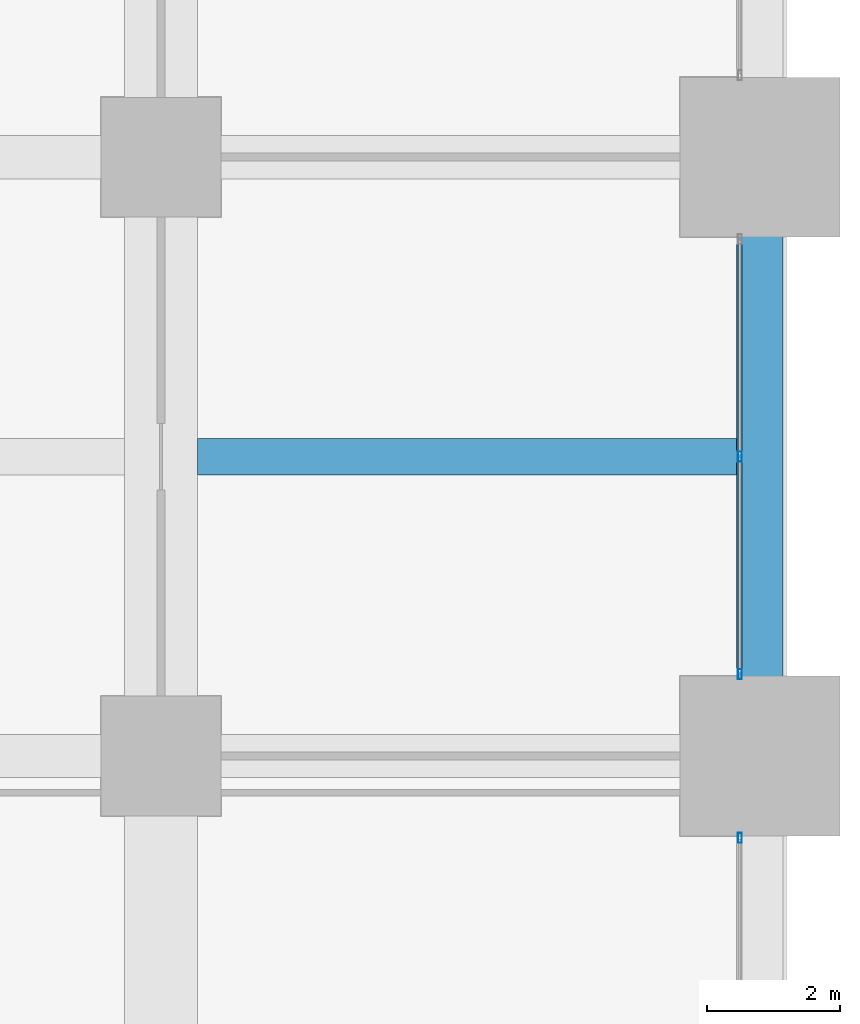
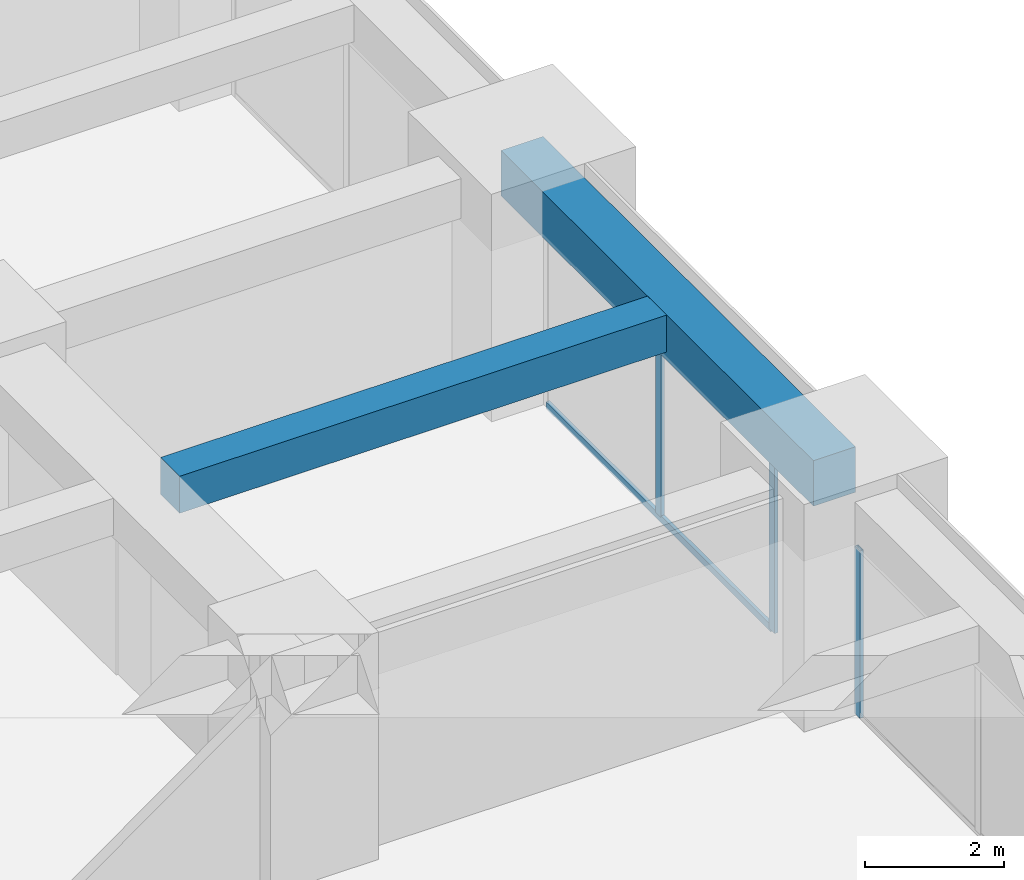
# One storey, part 21 of 40: 4 members, 2 beams, 2 elements without a shape of their own.
"""IFC4 building model written with IfcOpenShell, lengths in metres."""

from ifc_helpers import new_model, si_unit, direction, frame, origin, origin_2d, place, context, subcontext, project, spatial, rectangle, hollow_rectangle, extrude, material, material_profile, profile_set, type_object, element, aggregate, save


model = new_model("IFC4")

# Units and contexts
model_context = context("Model", 3, precision=1e-05, world=origin(), true_north=direction((0.0, 1.0)))
body_context = subcontext(model_context, "Body", "Model", "MODEL_VIEW")
ifc_project = project(units=[si_unit("LENGTHUNIT", "METRE"), si_unit("AREAUNIT", "SQUARE_METRE"), si_unit("VOLUMEUNIT", "CUBIC_METRE"), si_unit("PLANEANGLEUNIT", "RADIAN"), si_unit("MASSUNIT", "GRAM", prefix="KILO")], contexts=[model_context])

# Site, building, storey
site_placement = place(None, origin())
site = spatial("IfcSite", under=ifc_project, at=site_placement, CompositionType="ELEMENT")
building_placement = place(site_placement, origin())
building = spatial("IfcBuilding", under=site, at=building_placement, Name="Zorevar Civic Tower", CompositionType="ELEMENT")
storey_placement = place(building_placement, frame((0.0, 0.0, 129.0)))
storey = spatial("IfcBuildingStorey", under=building, at=storey_placement, Name="L31", CompositionType="ELEMENT", Elevation=129.0)

# Beam
ifc_material_1 = material(Name="Concrete C50/60", Category="concrete")
ifc_material_profile_1 = material_profile(ifc_material_1, rectangle(XDim=0.550048828125, YDim=0.64990234375, at=origin_2d()), Name="RC 550x650")
ifc_profile_set_1 = profile_set([ifc_material_profile_1], Name="Concrete C50/60")
beam_type_1 = type_object("IfcBeamType", Name="Beam RC 550x650", PredefinedType="BEAM", material=ifc_profile_set_1)
beam_1_placement = place(storey_placement, frame((54.550048828125, 22.5, 3.425048828125), z_axis=(1.0, 0.0, 0.0), x_axis=(0.0, 1.0, 0.0)))
element("IfcBeam", 1, at=beam_1_placement, inside=storey, type_object=beam_type_1, Name="Secondary beam L32", PredefinedType="BEAM", context=body_context, shape_type="SweptSolid", body=[
    extrude(rectangle(XDim=0.550048828125, YDim=0.64990234375, at=origin_2d()), origin(), (0.0, 0.0, 1.0), 8.099853515625),
])

# Curtain wall, member
ifc_material_2 = material(Name="Dark grey solar-control glass in black aluminium frame", Category="aluminium")
curtain_wall_type = type_object("IfcCurtainWallType", Name="Curtain wall CW3 mid zone", PredefinedType="NOTDEFINED", material=ifc_material_2)
curtain_wall_1_placement = place(storey_placement, origin())
curtain_wall_1 = element("IfcCurtainWall", 2, at=curtain_wall_1_placement, inside=storey, type_object=curtain_wall_type, Name="CW3 L31", PredefinedType="NOTDEFINED")
ifc_material_3 = material(Name="Aluminium, black anodised", Category="aluminium")
ifc_material_profile_2 = material_profile(ifc_material_3, hollow_rectangle(XDim=0.06005859375, YDim=0.14990234375, WallThickness=0.00390625, at=origin_2d()), Name="AL 150x60x4")
ifc_profile_set_2 = profile_set([ifc_material_profile_2], Name="Aluminium, black anodised")
member_type_1 = type_object("IfcMemberType", Name="CW3 mullion AL 150x60x4", PredefinedType="MULLION", material=ifc_profile_set_2)
member_1_placement = place(storey_placement, frame((62.699951171875, 16.77001953125, 0.0), z_axis=(0.0, 0.0, 1.0), x_axis=(-1.0, 0.0, 0.0)))
member_1 = element("IfcMember", 3, at=member_1_placement, type_object=member_type_1, Name="CW3 mullion 3", PredefinedType="MULLION", context=body_context, shape_type="SweptSolid", body=[
    extrude(hollow_rectangle(XDim=0.06005859375, YDim=0.14990234375, WallThickness=0.00390625, at=origin_2d()), origin(), (0.0, 0.0, 1.0), 2.949951171875),
])
aggregate(curtain_wall_1, [member_1])

# Curtain wall, members
curtain_wall_2_placement = place(storey_placement, origin())
curtain_wall_2 = element("IfcCurtainWall", 4, at=curtain_wall_2_placement, inside=storey, type_object=curtain_wall_type, Name="CW3 L31", PredefinedType="NOTDEFINED")
member_2_placement = place(storey_placement, frame((62.699951171875, 19.22998046875, 0.0), z_axis=(0.0, 0.0, 1.0), x_axis=(-1.0, 0.0, 0.0)))
member_2 = element("IfcMember", 5, at=member_2_placement, type_object=member_type_1, Name="CW3 mullion 1", PredefinedType="MULLION", context=body_context, shape_type="SweptSolid", body=[
    extrude(hollow_rectangle(XDim=0.06005859375, YDim=0.14990234375, WallThickness=0.00390625, at=origin_2d()), origin(), (0.0, 0.0, 1.0), 2.949951171875),
])
member_3_placement = place(storey_placement, frame((62.699951171875, 22.5, 0.06005859375), z_axis=(0.0, 0.0, 1.0), x_axis=(-1.0, 0.0, 0.0)))
member_3 = element("IfcMember", 6, at=member_3_placement, type_object=member_type_1, Name="CW3 mullion 2", PredefinedType="MULLION", context=body_context, shape_type="SweptSolid", body=[
    extrude(hollow_rectangle(XDim=0.06005859375, YDim=0.14990234375, WallThickness=0.00390625, at=origin_2d()), origin(), (0.0, 0.0, 1.0), 2.889892578125),
])
ifc_material_4 = material(Name="Aluminium, black anodised", Category="aluminium")
ifc_material_profile_3 = material_profile(ifc_material_4, hollow_rectangle(XDim=0.06005859375, YDim=0.1201171875, WallThickness=0.0029296875, at=origin_2d()), Name="AL 120x60x3")
ifc_profile_set_3 = profile_set([ifc_material_profile_3], Name="Aluminium, black anodised")
member_type_2 = type_object("IfcMemberType", Name="CW3 transom AL 120x60x3", PredefinedType="USERDEFINED", material=ifc_profile_set_3)
member_4_placement = place(storey_placement, frame((62.699951171875, 19.260009765625, 0.030029296875), z_axis=(0.0, 1.0, 0.0), x_axis=(-1.0, 0.0, 0.0)))
member_4 = element("IfcMember", 7, at=member_4_placement, type_object=member_type_2, Name="CW3 sill transom", ObjectType="TRANSOM", PredefinedType="USERDEFINED", context=body_context, shape_type="SweptSolid", body=[
    extrude(hollow_rectangle(XDim=0.06005859375, YDim=0.1201171875, WallThickness=0.0029296875, at=origin_2d()), origin(), (0.0, 0.0, 1.0), 6.47998046875),
])
aggregate(curtain_wall_2, [member_2, member_3, member_4])

# Beam
ifc_material_5 = material(Name="Concrete C50/60", Category="concrete")
ifc_material_profile_4 = material_profile(ifc_material_5, rectangle(XDim=0.699951171875, YDim=0.800048828125, at=origin_2d()), Name="RC 700x800")
ifc_profile_set_4 = profile_set([ifc_material_profile_4], Name="Concrete C50/60")
beam_type_2 = type_object("IfcBeamType", Name="Edge beam RC 700x800", PredefinedType="SPANDREL", material=ifc_profile_set_4)
beam_2_placement = place(storey_placement, frame((63.0, 18.0, 3.35009765625), z_axis=(0.0, 1.0, 0.0), x_axis=(-1.0, 0.0, 0.0)))
element("IfcBeam", 8, at=beam_2_placement, inside=storey, type_object=beam_type_2, Name="Edge beam L32", PredefinedType="SPANDREL", context=body_context, shape_type="SweptSolid", body=[
    extrude(rectangle(XDim=0.699951171875, YDim=0.800048828125, at=origin_2d()), origin(), (0.0, 0.0, 1.0), 9.0),
])

save(model, "model.ifc")
